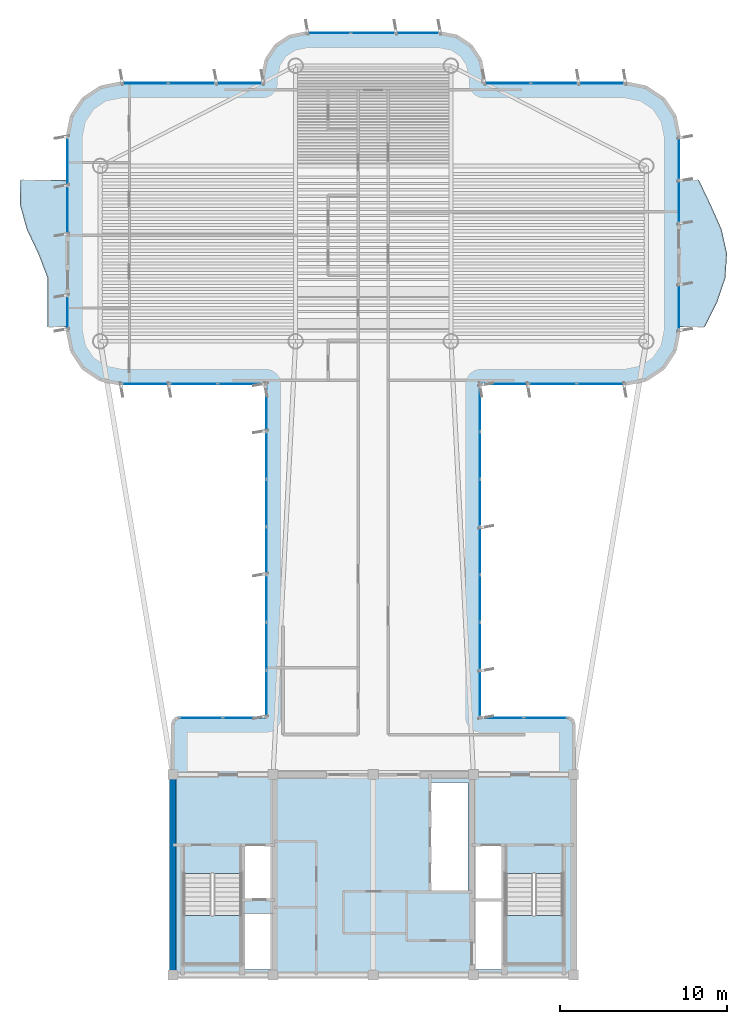
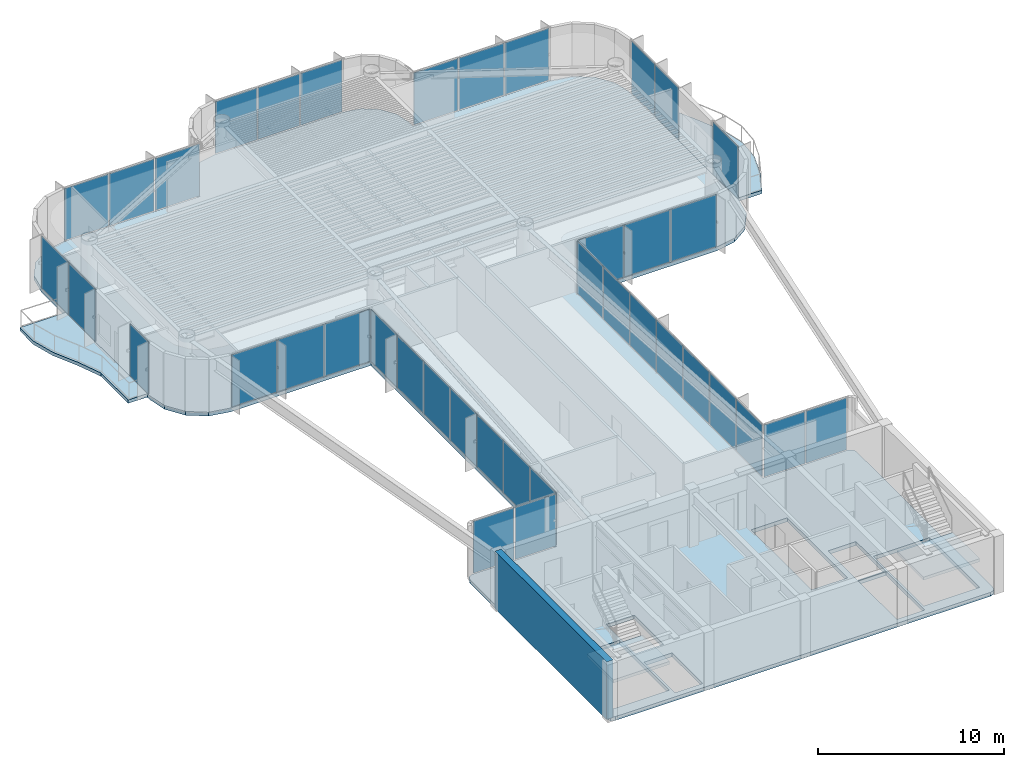
# One storey, part 9 of 15: 39 plates, 5 slabs, 1 wall, 15 elements without a shape of their own.
"""IFC4 building model written with IfcOpenShell, lengths in metres."""

import ifcopenshell
import ifcopenshell.guid

model = None  # the IFC model being written
_history = None  # IfcOwnerHistory: only IFC2X3 demands one
_inside = {}  # id of a spatial element -> (the spatial element, [elements in it])
_under = {}  # id of a project, library or spatial element -> (it, [spatial elements below it])
_declared = {}  # id of a project -> (the project, [libraries it declares])
_typed = {}  # id of a type object -> (the type object, [elements of that type])
_made_of = {}  # id of a material, layer set ... -> (it, [elements and type objects made of it])


def new_model(schema):
    """Start an empty IFC model of exactly this schema.

    Asked for "IFC4X3", IfcOpenShell would pick the latest addendum, in which some entities
    have other attributes; the version numbers below select the first issue.
    IFC2X3 requires an IfcOwnerHistory on every rooted entity: one is made here for all.
    """
    global model, _history
    if schema == "IFC4X3":
        model = ifcopenshell.file(schema_version=(4, 3, 0, 0))
    else:
        model = ifcopenshell.file(schema=schema)
    _inside.clear()
    _under.clear()
    _declared.clear()
    _typed.clear()
    _made_of.clear()
    _history = None
    if model.schema == "IFC2X3":
        org = make("IfcOrganization", Name="unknown")
        user = make(
            "IfcPersonAndOrganization",
            ThePerson=make("IfcPerson", FamilyName="unknown"),
            TheOrganization=org,
        )
        app = make(
            "IfcApplication",
            ApplicationDeveloper=org,
            Version="unknown",
            ApplicationFullName="unknown",
            ApplicationIdentifier="unknown",
        )
        _history = make(
            "IfcOwnerHistory",
            OwningUser=user,
            OwningApplication=app,
            ChangeAction="ADDED",
            CreationDate=0,
        )
    return model


def make(cls, **values):
    """One entity of the class cls with the attributes given. An attribute that is None is left unset."""
    return model.create_entity(
        cls, **{name: value for name, value in values.items() if value is not None}
    )


def rooted(cls, **values):
    """An entity with a GlobalId (a new one), such as an element, a storey or a relation."""
    return make(cls, GlobalId=ifcopenshell.guid.new(), OwnerHistory=_history, **values)


def si_unit(unit_type, name, prefix=None):
    """IfcSIUnit, for example si_unit("LENGTHUNIT", "METRE", prefix="MILLI")."""
    return make("IfcSIUnit", UnitType=unit_type, Prefix=prefix, Name=name)


def assignment(units):
    """IfcUnitAssignment: the units of a project."""
    return None if units is None else make("IfcUnitAssignment", Units=units)


def point(xyz):
    """IfcCartesianPoint."""
    return None if xyz is None else make("IfcCartesianPoint", Coordinates=xyz)


def direction(xyz):
    """IfcDirection."""
    return None if xyz is None else make("IfcDirection", DirectionRatios=xyz)


def frame(location, z_axis=None, x_axis=None):
    """IfcAxis2Placement3D, a coordinate frame: its origin and axes. An axis left out is left unset."""
    return make(
        "IfcAxis2Placement3D",
        Location=point(location),
        Axis=direction(z_axis),
        RefDirection=direction(x_axis),
    )


def frame_2d(location, x_axis=None):
    """IfcAxis2Placement2D, a coordinate frame in the plane: its origin and x axis."""
    return make(
        "IfcAxis2Placement2D", Location=point(location), RefDirection=direction(x_axis)
    )


def origin():
    """The frame at (0, 0, 0) with its axes left unset."""
    return frame((0.0, 0.0, 0.0))


def origin_2d():
    """The frame at (0, 0) in the plane with its x axis left unset."""
    return frame_2d((0.0, 0.0))


def place(relative_to, where):
    """IfcLocalPlacement: puts the frame where relative to a parent placement (None: the world)."""
    return make(
        "IfcLocalPlacement", PlacementRelTo=relative_to, RelativePlacement=where
    )


def context(
    kind, dimensions, precision=None, world=None, true_north=None, identifier=None
):
    """IfcGeometricRepresentationContext, for example the 3D "Model" context."""
    return make(
        "IfcGeometricRepresentationContext",
        ContextIdentifier=identifier,
        ContextType=kind,
        CoordinateSpaceDimension=dimensions,
        Precision=precision,
        WorldCoordinateSystem=world,
        TrueNorth=true_north,
    )


def subcontext(parent, identifier, kind, view, scale=None):
    """IfcGeometricRepresentationSubContext, for example "Body" below "Model"."""
    return make(
        "IfcGeometricRepresentationSubContext",
        ContextIdentifier=identifier,
        ContextType=kind,
        ParentContext=parent,
        TargetScale=scale,
        TargetView=view,
    )


def project(units=None, contexts=None):
    """IfcProject with its units and contexts."""
    return rooted(
        "IfcProject",
        Name="project",
        RepresentationContexts=contexts,
        UnitsInContext=assignment(units),
    )


def spatial(cls, under=None, at=None, **own):
    """A site, building, storey or space (cls), placed at a placement, below another one or the project."""
    s = rooted(cls, ObjectPlacement=at, **own)
    if under is not None:
        _under.setdefault(under.id(), (under, []))[1].append(s)
    return s


def polyline(points):
    """IfcPolyline through the points."""
    return make("IfcPolyline", Points=[point(p) for p in points])


def profile(cls, at=None, kind="AREA", **sizes):
    """A parametric profile (cls). Its sizes go by their IFC names, for example OverallWidth=200.0."""
    return make(cls, ProfileType=kind, Position=at, **sizes)


def rectangle(**sizes):
    """IfcRectangleProfileDef."""
    return profile("IfcRectangleProfileDef", **sizes)


def outline(outer, holes=None, kind="AREA"):
    """IfcArbitraryClosedProfileDef: a profile drawn as a closed curve; with holes, ...WithVoids."""
    if holes is None:
        return make("IfcArbitraryClosedProfileDef", ProfileType=kind, OuterCurve=outer)
    return make(
        "IfcArbitraryProfileDefWithVoids",
        ProfileType=kind,
        OuterCurve=outer,
        InnerCurves=holes,
    )


def extrude(swept, where, along, depth):
    """IfcExtrudedAreaSolid: the profile swept, set in the frame where, extruded along a direction by depth."""
    return make(
        "IfcExtrudedAreaSolid",
        SweptArea=swept,
        Position=where,
        ExtrudedDirection=direction(along),
        Depth=depth,
    )


def shape(context_of_items, identifier, shape_type, items):
    """IfcShapeRepresentation: the items that make up one representation, for example the "Body"."""
    return make(
        "IfcShapeRepresentation",
        ContextOfItems=context_of_items,
        RepresentationIdentifier=identifier,
        RepresentationType=shape_type,
        Items=items,
    )


def source(mapping_origin, context_of_items, identifier, shape_type, items):
    """IfcRepresentationMap: a shape defined once, which mapped items show again and again."""
    return make(
        "IfcRepresentationMap",
        MappingOrigin=mapping_origin,
        MappedRepresentation=shape(context_of_items, identifier, shape_type, items),
    )


def transform(
    local_origin,
    x_axis=None,
    y_axis=None,
    z_axis=None,
    scale=None,
    scale2=None,
    scale3=None,
    uniform=True,
):
    """IfcCartesianTransformationOperator3D, or its non-uniform kind. x_axis, y_axis, z_axis: its Axis1, 2, 3."""
    if uniform:
        return make(
            "IfcCartesianTransformationOperator3D",
            Axis1=direction(x_axis),
            Axis2=direction(y_axis),
            LocalOrigin=point(local_origin),
            Scale=scale,
            Axis3=direction(z_axis),
        )
    return make(
        "IfcCartesianTransformationOperator3DnonUniform",
        Axis1=direction(x_axis),
        Axis2=direction(y_axis),
        LocalOrigin=point(local_origin),
        Scale=scale,
        Axis3=direction(z_axis),
        Scale2=scale2,
        Scale3=scale3,
    )


def mapped(mapping_source, mapping_target):
    """IfcMappedItem: shows the shape of a source again, moved by a transform."""
    return make(
        "IfcMappedItem", MappingSource=mapping_source, MappingTarget=mapping_target
    )


def material(Name=None, Category=None):
    """IfcMaterial."""
    return make("IfcMaterial", Name=Name, Category=Category)


def layer(
    of_material, thickness, ventilated=None, Name=None, Category=None, Priority=None
):
    """IfcMaterialLayer: one layer of a wall or slab, of a material (None: an air gap)."""
    return make(
        "IfcMaterialLayer",
        Material=of_material,
        LayerThickness=thickness,
        IsVentilated=ventilated,
        Name=Name,
        Category=Category,
        Priority=Priority,
    )


def layer_set(layers, Name=None):
    """IfcMaterialLayerSet."""
    return make("IfcMaterialLayerSet", MaterialLayers=layers, LayerSetName=Name)


def made_of(thing, what):
    """Note that an element or type object is made of a material, layer set ...; save() writes the relation."""
    if what is not None:
        _made_of.setdefault(what.id(), (what, []))[1].append(thing)
    return thing


def type_object(cls, material=None, **own):
    """A type object (cls), such as IfcWallType, which elements share."""
    return made_of(rooted(cls, **own), material)


def element(
    cls,
    number,
    at=None,
    inside=None,
    cuts=None,
    type_object=None,
    material=None,
    context=None,
    identifier="Body",
    shape_type=None,
    held_by="IfcProductDefinitionShape",
    body=None,
    shapes=None,
    **own,
):
    """One element of the class cls, such as IfcWall. Its Tag is "e" and its number.

    at: its placement. inside: the storey or other place that contains it. cuts: it is an
    opening in that element (IfcRelVoidsElement). A single representation is given by context,
    identifier, shape_type and body (its items); several are given by shapes. held_by: the class
    of the entity that holds the representations. save() writes the other relations.
    """
    e = rooted(cls, Tag="e%d" % number, ObjectPlacement=at, **own)
    if body is not None:
        shapes = [shape(context, identifier, shape_type, body)]
    if shapes is not None:
        e.Representation = make(held_by, Representations=shapes)
    if inside is not None:
        _inside.setdefault(inside.id(), (inside, []))[1].append(e)
    if cuts is not None:
        rooted(
            "IfcRelVoidsElement", RelatingBuildingElement=cuts, RelatedOpeningElement=e
        )
    if type_object is not None:
        _typed.setdefault(type_object.id(), (type_object, []))[1].append(e)
    return made_of(e, material)


def aggregate(whole, parts):
    """IfcRelAggregates: a whole, such as a stair, and the parts it consists of."""
    return rooted("IfcRelAggregates", RelatingObject=whole, RelatedObjects=parts)


def save(model, path):
    """Write the relations noted so far, then the file.

    IfcRelAggregates (storeys below a building ...), IfcRelContainedInSpatialStructure (elements
    in a storey), IfcRelDefinesByType, IfcRelAssociatesMaterial and IfcRelDeclares: one each for
    every whole, place, type object, material and project.
    """
    for whole, parts in _under.values():
        aggregate(whole, parts)
    for where, things in _inside.values():
        rooted(
            "IfcRelContainedInSpatialStructure",
            RelatedElements=things,
            RelatingStructure=where,
        )
    for kind, things in _typed.values():
        rooted("IfcRelDefinesByType", RelatedObjects=things, RelatingType=kind)
    for what, things in _made_of.values():
        rooted("IfcRelAssociatesMaterial", RelatedObjects=things, RelatingMaterial=what)
    for by, libraries in _declared.values():
        rooted("IfcRelDeclares", RelatingContext=by, RelatedDefinitions=libraries)
    model.write(path)


model = new_model("IFC4")

# Units and contexts
model_context = context("Model", 3, precision=1e-05, world=origin(), true_north=direction((0.0, 1.0)))
body_context = subcontext(model_context, "Body", "Model", "MODEL_VIEW")
ifc_project = project(units=[si_unit("LENGTHUNIT", "METRE"), si_unit("AREAUNIT", "SQUARE_METRE"), si_unit("VOLUMEUNIT", "CUBIC_METRE"), si_unit("PLANEANGLEUNIT", "RADIAN"), si_unit("MASSUNIT", "GRAM", prefix="KILO")], contexts=[model_context])

# Site, building, storey
site_placement = place(None, origin())
site = spatial("IfcSite", under=ifc_project, at=site_placement, CompositionType="ELEMENT")
building_placement = place(site_placement, origin())
building = spatial("IfcBuilding", under=site, at=building_placement, Name="Brelvock Crest Care Tower", CompositionType="ELEMENT")
storey_placement = place(building_placement, frame((0.0, 0.0, 283.5)))
storey = spatial("IfcBuildingStorey", under=building, at=storey_placement, Name="L72", CompositionType="ELEMENT", Elevation=283.5)

# Slabs
ifc_material_1 = material(Name="Concrete N50 (50 MPa)", Category="concrete")
ifc_layer_1 = layer(ifc_material_1, 0.25, Name="SLB-FL3")
ifc_layer_set_1 = layer_set([ifc_layer_1], Name="Concrete N50 (50 MPa)")
slab_type_1 = type_object("IfcSlabType", Name="SLB-FL3", PredefinedType="FLOOR", material=ifc_layer_set_1)
slab_1_placement = place(storey_placement, frame((0.0, 0.0, -0.25)))
element("IfcSlab", 1, at=slab_1_placement, inside=storey, type_object=slab_type_1, Name="L72 Main Structural Slab", PredefinedType="FLOOR", context=body_context, shape_type="SweptSolid", body=[
    extrude(outline(polyline([(47.64990234375, 21.39990234375), (42.39990234375, 21.39990234375), (42.39990234375, 41.39990234375), (51.10009765625, 41.39990234375), (52.32470703125, 41.6435546875), (53.36279296875, 42.33740234375), (54.056396484375, 43.37548828125), (54.300048828125, 44.60009765625), (54.300048828125, 56.199951171875), (54.056396484375, 57.424560546875), (53.36279296875, 58.462646484375), (52.32470703125, 59.156494140625), (51.10009765625, 59.39990234375), (42.60009765625, 59.39990234375), (42.60009765625, 59.800048828125), (42.402099609375, 60.794921875), (41.83837890625, 61.638427734375), (40.9951171875, 62.2021484375), (40.0, 62.39990234375), (32.0, 62.39990234375), (31.0048828125, 62.2021484375), (30.16162109375, 61.638427734375), (29.597900390625, 60.794921875), (29.39990234375, 59.800048828125), (29.39990234375, 59.39990234375), (20.89990234375, 59.39990234375), (19.67529296875, 59.156494140625), (18.63720703125, 58.462646484375), (17.943603515625, 57.424560546875), (17.699951171875, 56.199951171875), (17.699951171875, 44.60009765625), (17.943603515625, 43.37548828125), (18.63720703125, 42.33740234375), (19.67529296875, 41.6435546875), (20.89990234375, 41.39990234375), (29.60009765625, 41.39990234375), (29.60009765625, 21.39990234375), (24.35009765625, 21.39990234375), (24.1025390625, 21.297607421875), (24.0, 21.050048828125), (24.0, 6.35009765625), (24.1025390625, 6.1025390625), (24.35009765625, 6.0), (47.64990234375, 6.0), (47.8974609375, 6.1025390625), (48.0, 6.35009765625), (48.0, 21.050048828125), (47.8974609375, 21.297607421875), (47.64990234375, 21.39990234375)]), holes=[polyline([(28.239990234375, 10.580078125), (29.97998046875, 10.580078125), (29.97998046875, 13.739990234375), (28.239990234375, 13.739990234375), (28.239990234375, 10.580078125)]), polyline([(42.02001953125, 10.580078125), (43.760009765625, 10.580078125), (43.760009765625, 13.739990234375), (42.02001953125, 13.739990234375), (42.02001953125, 10.580078125)]), polyline([(28.239990234375, 6.340087890625), (29.97998046875, 6.340087890625), (29.97998046875, 9.64990234375), (28.239990234375, 9.64990234375), (28.239990234375, 6.340087890625)]), polyline([(24.6298828125, 12.080078125), (24.6298828125, 6.699951171875), (28.110107421875, 6.699951171875), (28.110107421875, 12.080078125), (24.6298828125, 12.080078125)]), polyline([(43.889892578125, 12.080078125), (43.889892578125, 6.699951171875), (47.3701171875, 6.699951171875), (47.3701171875, 12.080078125), (43.889892578125, 12.080078125)]), polyline([(42.02001953125, 6.340087890625), (43.760009765625, 6.340087890625), (43.760009765625, 10.5), (42.02001953125, 10.5), (42.02001953125, 6.340087890625)]), polyline([(39.429931640625, 11.030029296875), (41.669921875, 11.030029296875), (41.669921875, 17.52001953125), (39.429931640625, 17.52001953125), (39.429931640625, 11.030029296875)])]), origin(), (0.0, 0.0, 1.0), 0.25),
])
ifc_layer_2 = layer(ifc_material_1, 0.219970703125, Name="SLB-WB1")
ifc_layer_set_2 = layer_set([ifc_layer_2], Name="Concrete N50 (50 MPa)")
slab_type_2 = type_object("IfcSlabType", Name="SLB-WB1", PredefinedType="FLOOR", material=ifc_layer_set_2)
slab_2_placement = place(storey_placement, frame((0.0, 0.0, -0.219970703125)))
element("IfcSlab", 2, at=slab_2_placement, inside=storey, type_object=slab_type_2, Name="L72 W Sinusoidal Wave Balcony Slab", PredefinedType="FLOOR", context=body_context, shape_type="SweptSolid", body=[
    extrude(outline(polyline([(17.699951171875, 53.60009765625), (14.8662109375, 53.60009765625), (14.845947265625, 52.13330078125), (15.24658203125, 50.666748046875), (15.938720703125, 49.199951171875), (16.5, 47.7333984375), (16.5, 46.2666015625), (16.5, 44.800048828125), (17.699951171875, 44.800048828125), (17.699951171875, 53.60009765625)])), origin(), (0.0, 0.0, 1.0), 0.219970703125),
])
slab_3_placement = place(storey_placement, frame((0.0, 0.0, -0.219970703125)))
element("IfcSlab", 3, at=slab_3_placement, inside=storey, type_object=slab_type_2, Name="L72 E Sinusoidal Wave Balcony Slab", PredefinedType="FLOOR", context=body_context, shape_type="SweptSolid", body=[
    extrude(outline(polyline([(54.300048828125, 44.800048828125), (55.85009765625, 44.800048828125), (56.585205078125, 46.2666015625), (57.083251953125, 47.7333984375), (57.183349609375, 49.199951171875), (56.853271484375, 50.666748046875), (56.199462890625, 52.13330078125), (55.5, 53.60009765625), (54.300048828125, 53.60009765625), (54.300048828125, 44.800048828125)])), origin(), (0.0, 0.0, 1.0), 0.219970703125),
])

# Stair, slab
ifc_material_2 = material(Name="Concrete N40 (40 MPa)", Category="concrete")
stair_type = type_object("IfcStairType", Name="ST-CORE1", PredefinedType="HALF_TURN_STAIR", material=ifc_material_2)
stair_1_placement = place(storey_placement, origin())
stair_1 = element("IfcStair", 4, at=stair_1_placement, inside=storey, type_object=stair_type, Name="L72 Fire-Isolated Core Stair ST-1", PredefinedType="HALF_TURN_STAIR")
ifc_layer_3 = layer(ifc_material_2, 0.199951171875, Name="STL-1")
ifc_layer_set_3 = layer_set([ifc_layer_3], Name="Concrete N40 (40 MPa)")
slab_type_3 = type_object("IfcSlabType", Name="STL-1", PredefinedType="LANDING", material=ifc_layer_set_3)
slab_4_placement = place(storey_placement, frame((0.0, 0.0, 1.68994140625)))
slab_4 = element("IfcSlab", 5, at=slab_4_placement, type_object=slab_type_3, Name="ST-1 landing 1", PredefinedType="LANDING", context=body_context, shape_type="SweptSolid", body=[
    extrude(outline(polyline([(24.6298828125, 9.56005859375), (24.6298828125, 6.699951171875), (28.110107421875, 6.699951171875), (28.110107421875, 9.56005859375), (24.6298828125, 9.56005859375)])), origin(), (0.0, 0.0, 1.0), 0.199951171875),
])
aggregate(stair_1, [slab_4])

stair_2_placement = place(storey_placement, origin())
stair_2 = element("IfcStair", 6, at=stair_2_placement, inside=storey, type_object=stair_type, Name="L72 Fire-Isolated Core Stair ST-2", PredefinedType="HALF_TURN_STAIR")
slab_5_placement = place(storey_placement, frame((0.0, 0.0, 1.68994140625)))
slab_5 = element("IfcSlab", 7, at=slab_5_placement, type_object=slab_type_3, Name="ST-2 landing 1", PredefinedType="LANDING", context=body_context, shape_type="SweptSolid", body=[
    extrude(outline(polyline([(43.889892578125, 9.56005859375), (43.889892578125, 6.699951171875), (47.3701171875, 6.699951171875), (47.3701171875, 9.56005859375), (43.889892578125, 9.56005859375)])), origin(), (0.0, 0.0, 1.0), 0.199951171875),
])
aggregate(stair_2, [slab_5])

# Curtain wall, plates
ifc_material_3 = material(Name="Dark Glass Double Glazed Low-E", Category="glass")
ifc_layer_4 = layer(ifc_material_3, 0.239990234375, Name="CWS-5")
ifc_layer_set_4 = layer_set([ifc_layer_4], Name="Dark Glass Double Glazed Low-E")
curtain_wall_type = type_object("IfcCurtainWallType", Name="CWS-5", PredefinedType="NOTDEFINED", material=ifc_layer_set_4)
curtain_wall_1_placement = place(storey_placement, origin())
curtain_wall_1 = element("IfcCurtainWall", 8, at=curtain_wall_1_placement, inside=storey, type_object=curtain_wall_type, Name="L72 Curtain Wall E10", PredefinedType="NOTDEFINED")
ifc_layer_5 = layer(ifc_material_3, 0.0380859375, Name="CWP-V2")
ifc_layer_set_5 = layer_set([ifc_layer_5], Name="Dark Glass Double Glazed Low-E")
plate_type = type_object("IfcPlateType", Name="CWP-V2", PredefinedType="CURTAIN_PANEL", material=ifc_layer_set_5)
shared_shape_1 = source(origin(), body_context, "Body", "SweptSolid", [
    extrude(rectangle(XDim=2.534912109375, YDim=0.035888671875, at=origin_2d()), origin(), (0.0, 0.0, 1.0), 3.409912109375),
])
plate_1_placement = place(storey_placement, frame((25.677490234375, 21.39990234375, 0.06005859375), z_axis=(0.0, 0.0, 1.0), x_axis=(1.0, 0.0, 0.0)))
plate_1 = element("IfcPlate", 9, at=plate_1_placement, type_object=plate_type, Name="CW-5 panel 1.1", PredefinedType="CURTAIN_PANEL", context=body_context, shape_type="MappedRepresentation", body=[
    mapped(shared_shape_1, transform((0.0, 0.0, 0.0), x_axis=(1.0, 0.0, 0.0), y_axis=(0.0, 1.0, 0.0), z_axis=(0.0, 0.0, 1.0), scale=1.0)),
])
plate_2_placement = place(storey_placement, frame((28.2724609375, 21.39990234375, 0.06005859375), z_axis=(0.0, 0.0, 1.0), x_axis=(1.0, 0.0, 0.0)))
plate_2 = element("IfcPlate", 10, at=plate_2_placement, type_object=plate_type, Name="CW-5 panel 2.1", PredefinedType="CURTAIN_PANEL", context=body_context, shape_type="MappedRepresentation", body=[
    mapped(shared_shape_1, transform((0.0, 0.0, 0.0), x_axis=(1.0, 0.0, 0.0), y_axis=(0.0, 1.0, 0.0), z_axis=(0.0, 0.0, 1.0), scale=1.0)),
])
aggregate(curtain_wall_1, [plate_1, plate_2])

curtain_wall_2_placement = place(storey_placement, origin())
curtain_wall_2 = element("IfcCurtainWall", 11, at=curtain_wall_2_placement, inside=storey, type_object=curtain_wall_type, Name="L72 Curtain Wall E46", PredefinedType="NOTDEFINED")
plate_3_placement = place(storey_placement, frame((43.7275390625, 21.39990234375, 0.06005859375), z_axis=(0.0, 0.0, 1.0), x_axis=(1.0, 0.0, 0.0)))
plate_3 = element("IfcPlate", 12, at=plate_3_placement, type_object=plate_type, Name="CW-5 panel 1.1", PredefinedType="CURTAIN_PANEL", context=body_context, shape_type="MappedRepresentation", body=[
    mapped(shared_shape_1, transform((0.0, 0.0, 0.0), x_axis=(1.0, 0.0, 0.0), y_axis=(0.0, 1.0, 0.0), z_axis=(0.0, 0.0, 1.0), scale=1.0)),
])
plate_4_placement = place(storey_placement, frame((46.322509765625, 21.39990234375, 0.06005859375), z_axis=(0.0, 0.0, 1.0), x_axis=(1.0, 0.0, 0.0)))
plate_4 = element("IfcPlate", 13, at=plate_4_placement, type_object=plate_type, Name="CW-5 panel 2.1", PredefinedType="CURTAIN_PANEL", context=body_context, shape_type="MappedRepresentation", body=[
    mapped(shared_shape_1, transform((0.0, 0.0, 0.0), x_axis=(1.0, 0.0, 0.0), y_axis=(0.0, 1.0, 0.0), z_axis=(0.0, 0.0, 1.0), scale=1.0)),
])
aggregate(curtain_wall_2, [plate_3, plate_4])

# Curtain wall, plate
curtain_wall_3_placement = place(storey_placement, origin())
curtain_wall_3 = element("IfcCurtainWall", 14, at=curtain_wall_3_placement, inside=storey, type_object=curtain_wall_type, Name="L72 Curtain Wall E17A", PredefinedType="NOTDEFINED")
shared_shape_2 = source(origin(), body_context, "Body", "SweptSolid", [
    extrude(rectangle(XDim=1.97998046875, YDim=0.035888671875, at=origin_2d()), origin(), (0.0, 0.0, 1.0), 3.409912109375),
])
plate_5_placement = place(storey_placement, frame((17.699951171875, 45.64990234375, 0.06005859375), z_axis=(0.0, 0.0, 1.0), x_axis=(0.0, 1.0, 0.0)))
plate_5 = element("IfcPlate", 15, at=plate_5_placement, type_object=plate_type, Name="CW-5 panel 1.1", PredefinedType="CURTAIN_PANEL", context=body_context, shape_type="MappedRepresentation", body=[
    mapped(shared_shape_2, transform((0.0, 0.0, 0.0), x_axis=(1.0, 0.0, 0.0), y_axis=(0.0, 1.0, 0.0), z_axis=(0.0, 0.0, 1.0), scale=1.0)),
])
aggregate(curtain_wall_3, [plate_5])

# Curtain wall, plates
curtain_wall_4_placement = place(storey_placement, origin())
curtain_wall_4 = element("IfcCurtainWall", 16, at=curtain_wall_4_placement, inside=storey, type_object=curtain_wall_type, Name="L72 Curtain Wall E39A", PredefinedType="NOTDEFINED")
shared_shape_3 = source(origin(), body_context, "Body", "SweptSolid", [
    extrude(rectangle(XDim=2.510009765625, YDim=0.035888671875, at=origin_2d()), origin(), (0.0, 0.0, 1.0), 3.409912109375),
])
plate_6_placement = place(storey_placement, frame((54.300048828125, 54.885009765625, 0.06005859375), z_axis=(0.0, 0.0, 1.0), x_axis=(0.0, -1.0, 0.0)))
plate_6 = element("IfcPlate", 17, at=plate_6_placement, type_object=plate_type, Name="CW-5 panel 1.1", PredefinedType="CURTAIN_PANEL", context=body_context, shape_type="MappedRepresentation", body=[
    mapped(shared_shape_3, transform((0.0, 0.0, 0.0), x_axis=(1.0, 0.0, 0.0), y_axis=(0.0, 1.0, 0.0), z_axis=(0.0, 0.0, 1.0), scale=1.0)),
])
plate_7_placement = place(storey_placement, frame((54.300048828125, 52.31494140625, 0.06005859375), z_axis=(0.0, 0.0, 1.0), x_axis=(0.0, -1.0, 0.0)))
plate_7 = element("IfcPlate", 18, at=plate_7_placement, type_object=plate_type, Name="CW-5 panel 2.1", PredefinedType="CURTAIN_PANEL", context=body_context, shape_type="MappedRepresentation", body=[
    mapped(shared_shape_3, transform((0.0, 0.0, 0.0), x_axis=(1.0, 0.0, 0.0), y_axis=(0.0, 1.0, 0.0), z_axis=(0.0, 0.0, 1.0), scale=1.0)),
])
aggregate(curtain_wall_4, [plate_6, plate_7])

curtain_wall_5_placement = place(storey_placement, origin())
curtain_wall_5 = element("IfcCurtainWall", 19, at=curtain_wall_5_placement, inside=storey, type_object=curtain_wall_type, Name="L72 Curtain Wall E11", PredefinedType="NOTDEFINED")
shared_shape_4 = source(origin(), body_context, "Body", "SweptSolid", [
    extrude(rectangle(XDim=2.76708984375, YDim=0.035888671875, at=origin_2d()), origin(), (0.0, 0.0, 1.0), 3.409912109375),
])
plate_8_placement = place(storey_placement, frame((29.60009765625, 22.843505859375, 0.06005859375), z_axis=(0.0, 0.0, 1.0), x_axis=(0.0, 1.0, 0.0)))
plate_8 = element("IfcPlate", 20, at=plate_8_placement, type_object=plate_type, Name="CW-5 panel 1.1", PredefinedType="CURTAIN_PANEL", context=body_context, shape_type="MappedRepresentation", body=[
    mapped(shared_shape_4, transform((0.0, 0.0, 0.0), x_axis=(1.0, 0.0, 0.0), y_axis=(0.0, 1.0, 0.0), z_axis=(0.0, 0.0, 1.0), scale=1.0)),
])
plate_9_placement = place(storey_placement, frame((29.60009765625, 39.95654296875, 0.06005859375), z_axis=(0.0, 0.0, 1.0), x_axis=(0.0, 1.0, 0.0)))
plate_9 = element("IfcPlate", 21, at=plate_9_placement, type_object=plate_type, Name="CW-5 panel 7.1", PredefinedType="CURTAIN_PANEL", context=body_context, shape_type="MappedRepresentation", body=[
    mapped(shared_shape_4, transform((0.0, 0.0, 0.0), x_axis=(1.0, 0.0, 0.0), y_axis=(0.0, 1.0, 0.0), z_axis=(0.0, 0.0, 1.0), scale=1.0)),
])

curtain_wall_6_placement = place(storey_placement, origin())
curtain_wall_6 = element("IfcCurtainWall", 22, at=curtain_wall_6_placement, inside=storey, type_object=curtain_wall_type, Name="L72 Curtain Wall E45", PredefinedType="NOTDEFINED")
plate_10_placement = place(storey_placement, frame((42.39990234375, 39.95654296875, 0.06005859375), z_axis=(0.0, 0.0, 1.0), x_axis=(0.0, -1.0, 0.0)))
plate_10 = element("IfcPlate", 23, at=plate_10_placement, type_object=plate_type, Name="CW-5 panel 1.1", PredefinedType="CURTAIN_PANEL", context=body_context, shape_type="MappedRepresentation", body=[
    mapped(shared_shape_4, transform((0.0, 0.0, 0.0), x_axis=(1.0, 0.0, 0.0), y_axis=(0.0, 1.0, 0.0), z_axis=(0.0, 0.0, 1.0), scale=1.0)),
])
plate_11_placement = place(storey_placement, frame((42.39990234375, 22.843505859375, 0.06005859375), z_axis=(0.0, 0.0, 1.0), x_axis=(0.0, -1.0, 0.0)))
plate_11 = element("IfcPlate", 24, at=plate_11_placement, type_object=plate_type, Name="CW-5 panel 7.1", PredefinedType="CURTAIN_PANEL", context=body_context, shape_type="MappedRepresentation", body=[
    mapped(shared_shape_4, transform((0.0, 0.0, 0.0), x_axis=(1.0, 0.0, 0.0), y_axis=(0.0, 1.0, 0.0), z_axis=(0.0, 0.0, 1.0), scale=1.0)),
])

# Plate
shared_shape_5 = source(origin(), body_context, "Body", "SweptSolid", [
    extrude(rectangle(XDim=2.797119140625, YDim=0.035888671875, at=origin_2d()), origin(), (0.0, 0.0, 1.0), 3.409912109375),
])
plate_12_placement = place(storey_placement, frame((29.60009765625, 25.685791015625, 0.06005859375), z_axis=(0.0, 0.0, 1.0), x_axis=(0.0, 1.0, 0.0)))
plate_12 = element("IfcPlate", 25, at=plate_12_placement, type_object=plate_type, Name="CW-5 panel 2.1", PredefinedType="CURTAIN_PANEL", context=body_context, shape_type="MappedRepresentation", body=[
    mapped(shared_shape_5, transform((0.0, 0.0, 0.0), x_axis=(1.0, 0.0, 0.0), y_axis=(0.0, 1.0, 0.0), z_axis=(0.0, 0.0, 1.0), scale=1.0)),
])

plate_13_placement = place(storey_placement, frame((29.60009765625, 28.54296875, 0.06005859375), z_axis=(0.0, 0.0, 1.0), x_axis=(0.0, 1.0, 0.0)))
plate_13 = element("IfcPlate", 26, at=plate_13_placement, type_object=plate_type, Name="CW-5 panel 3.1", PredefinedType="CURTAIN_PANEL", context=body_context, shape_type="MappedRepresentation", body=[
    mapped(shared_shape_5, transform((0.0, 0.0, 0.0), x_axis=(1.0, 0.0, 0.0), y_axis=(0.0, 1.0, 0.0), z_axis=(0.0, 0.0, 1.0), scale=1.0)),
])

plate_14_placement = place(storey_placement, frame((29.60009765625, 31.39990234375, 0.06005859375), z_axis=(0.0, 0.0, 1.0), x_axis=(0.0, 1.0, 0.0)))
plate_14 = element("IfcPlate", 27, at=plate_14_placement, type_object=plate_type, Name="CW-5 panel 4.1", PredefinedType="CURTAIN_PANEL", context=body_context, shape_type="MappedRepresentation", body=[
    mapped(shared_shape_5, transform((0.0, 0.0, 0.0), x_axis=(1.0, 0.0, 0.0), y_axis=(0.0, 1.0, 0.0), z_axis=(0.0, 0.0, 1.0), scale=1.0)),
])

plate_15_placement = place(storey_placement, frame((29.60009765625, 34.257080078125, 0.06005859375), z_axis=(0.0, 0.0, 1.0), x_axis=(0.0, 1.0, 0.0)))
plate_15 = element("IfcPlate", 28, at=plate_15_placement, type_object=plate_type, Name="CW-5 panel 5.1", PredefinedType="CURTAIN_PANEL", context=body_context, shape_type="MappedRepresentation", body=[
    mapped(shared_shape_5, transform((0.0, 0.0, 0.0), x_axis=(1.0, 0.0, 0.0), y_axis=(0.0, 1.0, 0.0), z_axis=(0.0, 0.0, 1.0), scale=1.0)),
])

plate_16_placement = place(storey_placement, frame((29.60009765625, 37.1142578125, 0.06005859375), z_axis=(0.0, 0.0, 1.0), x_axis=(0.0, 1.0, 0.0)))
plate_16 = element("IfcPlate", 29, at=plate_16_placement, type_object=plate_type, Name="CW-5 panel 6.1", PredefinedType="CURTAIN_PANEL", context=body_context, shape_type="MappedRepresentation", body=[
    mapped(shared_shape_5, transform((0.0, 0.0, 0.0), x_axis=(1.0, 0.0, 0.0), y_axis=(0.0, 1.0, 0.0), z_axis=(0.0, 0.0, 1.0), scale=1.0)),
])

aggregate(curtain_wall_5, [plate_8, plate_12, plate_13, plate_14, plate_15, plate_16, plate_9])

plate_17_placement = place(storey_placement, frame((42.39990234375, 37.1142578125, 0.06005859375), z_axis=(0.0, 0.0, 1.0), x_axis=(0.0, -1.0, 0.0)))
plate_17 = element("IfcPlate", 30, at=plate_17_placement, type_object=plate_type, Name="CW-5 panel 2.1", PredefinedType="CURTAIN_PANEL", context=body_context, shape_type="MappedRepresentation", body=[
    mapped(shared_shape_5, transform((0.0, 0.0, 0.0), x_axis=(1.0, 0.0, 0.0), y_axis=(0.0, 1.0, 0.0), z_axis=(0.0, 0.0, 1.0), scale=1.0)),
])

plate_18_placement = place(storey_placement, frame((42.39990234375, 34.257080078125, 0.06005859375), z_axis=(0.0, 0.0, 1.0), x_axis=(0.0, -1.0, 0.0)))
plate_18 = element("IfcPlate", 31, at=plate_18_placement, type_object=plate_type, Name="CW-5 panel 3.1", PredefinedType="CURTAIN_PANEL", context=body_context, shape_type="MappedRepresentation", body=[
    mapped(shared_shape_5, transform((0.0, 0.0, 0.0), x_axis=(1.0, 0.0, 0.0), y_axis=(0.0, 1.0, 0.0), z_axis=(0.0, 0.0, 1.0), scale=1.0)),
])

plate_19_placement = place(storey_placement, frame((42.39990234375, 31.39990234375, 0.06005859375), z_axis=(0.0, 0.0, 1.0), x_axis=(0.0, -1.0, 0.0)))
plate_19 = element("IfcPlate", 32, at=plate_19_placement, type_object=plate_type, Name="CW-5 panel 4.1", PredefinedType="CURTAIN_PANEL", context=body_context, shape_type="MappedRepresentation", body=[
    mapped(shared_shape_5, transform((0.0, 0.0, 0.0), x_axis=(1.0, 0.0, 0.0), y_axis=(0.0, 1.0, 0.0), z_axis=(0.0, 0.0, 1.0), scale=1.0)),
])

plate_20_placement = place(storey_placement, frame((42.39990234375, 28.54296875, 0.06005859375), z_axis=(0.0, 0.0, 1.0), x_axis=(0.0, -1.0, 0.0)))
plate_20 = element("IfcPlate", 33, at=plate_20_placement, type_object=plate_type, Name="CW-5 panel 5.1", PredefinedType="CURTAIN_PANEL", context=body_context, shape_type="MappedRepresentation", body=[
    mapped(shared_shape_5, transform((0.0, 0.0, 0.0), x_axis=(1.0, 0.0, 0.0), y_axis=(0.0, 1.0, 0.0), z_axis=(0.0, 0.0, 1.0), scale=1.0)),
])

plate_21_placement = place(storey_placement, frame((42.39990234375, 25.685791015625, 0.06005859375), z_axis=(0.0, 0.0, 1.0), x_axis=(0.0, -1.0, 0.0)))
plate_21 = element("IfcPlate", 34, at=plate_21_placement, type_object=plate_type, Name="CW-5 panel 6.1", PredefinedType="CURTAIN_PANEL", context=body_context, shape_type="MappedRepresentation", body=[
    mapped(shared_shape_5, transform((0.0, 0.0, 0.0), x_axis=(1.0, 0.0, 0.0), y_axis=(0.0, 1.0, 0.0), z_axis=(0.0, 0.0, 1.0), scale=1.0)),
])

aggregate(curtain_wall_6, [plate_10, plate_17, plate_18, plate_19, plate_20, plate_21, plate_11])

# Curtain wall, plates
curtain_wall_7_placement = place(storey_placement, origin())
curtain_wall_7 = element("IfcCurtainWall", 35, at=curtain_wall_7_placement, inside=storey, type_object=curtain_wall_type, Name="L72 Curtain Wall E12", PredefinedType="NOTDEFINED")
shared_shape_6 = source(origin(), body_context, "Body", "SweptSolid", [
    extrude(rectangle(XDim=2.81005859375, YDim=0.035888671875, at=origin_2d()), origin(), (0.0, 0.0, 1.0), 3.409912109375),
])
plate_22_placement = place(storey_placement, frame((28.135009765625, 41.39990234375, 0.06005859375), z_axis=(0.0, 0.0, 1.0), x_axis=(-1.0, 0.0, 0.0)))
plate_22 = element("IfcPlate", 36, at=plate_22_placement, type_object=plate_type, Name="CW-5 panel 1.1", PredefinedType="CURTAIN_PANEL", context=body_context, shape_type="MappedRepresentation", body=[
    mapped(shared_shape_6, transform((0.0, 0.0, 0.0), x_axis=(1.0, 0.0, 0.0), y_axis=(0.0, 1.0, 0.0), z_axis=(0.0, 0.0, 1.0), scale=1.0)),
])
plate_23_placement = place(storey_placement, frame((22.364990234375, 41.39990234375, 0.06005859375), z_axis=(0.0, 0.0, 1.0), x_axis=(-1.0, 0.0, 0.0)))
plate_23 = element("IfcPlate", 37, at=plate_23_placement, type_object=plate_type, Name="CW-5 panel 3.1", PredefinedType="CURTAIN_PANEL", context=body_context, shape_type="MappedRepresentation", body=[
    mapped(shared_shape_6, transform((0.0, 0.0, 0.0), x_axis=(1.0, 0.0, 0.0), y_axis=(0.0, 1.0, 0.0), z_axis=(0.0, 0.0, 1.0), scale=1.0)),
])

curtain_wall_8_placement = place(storey_placement, origin())
curtain_wall_8 = element("IfcCurtainWall", 38, at=curtain_wall_8_placement, inside=storey, type_object=curtain_wall_type, Name="L72 Curtain Wall E44", PredefinedType="NOTDEFINED")
plate_24_placement = place(storey_placement, frame((49.635009765625, 41.39990234375, 0.06005859375), z_axis=(0.0, 0.0, 1.0), x_axis=(-1.0, 0.0, 0.0)))
plate_24 = element("IfcPlate", 39, at=plate_24_placement, type_object=plate_type, Name="CW-5 panel 1.1", PredefinedType="CURTAIN_PANEL", context=body_context, shape_type="MappedRepresentation", body=[
    mapped(shared_shape_6, transform((0.0, 0.0, 0.0), x_axis=(1.0, 0.0, 0.0), y_axis=(0.0, 1.0, 0.0), z_axis=(0.0, 0.0, 1.0), scale=1.0)),
])
plate_25_placement = place(storey_placement, frame((43.864990234375, 41.39990234375, 0.06005859375), z_axis=(0.0, 0.0, 1.0), x_axis=(-1.0, 0.0, 0.0)))
plate_25 = element("IfcPlate", 40, at=plate_25_placement, type_object=plate_type, Name="CW-5 panel 3.1", PredefinedType="CURTAIN_PANEL", context=body_context, shape_type="MappedRepresentation", body=[
    mapped(shared_shape_6, transform((0.0, 0.0, 0.0), x_axis=(1.0, 0.0, 0.0), y_axis=(0.0, 1.0, 0.0), z_axis=(0.0, 0.0, 1.0), scale=1.0)),
])

# Plate
shared_shape_7 = source(origin(), body_context, "Body", "SweptSolid", [
    extrude(rectangle(XDim=2.840087890625, YDim=0.035888671875, at=origin_2d()), origin(), (0.0, 0.0, 1.0), 3.409912109375),
])
plate_26_placement = place(storey_placement, frame((25.25, 41.39990234375, 0.06005859375), z_axis=(0.0, 0.0, 1.0), x_axis=(-1.0, 0.0, 0.0)))
plate_26 = element("IfcPlate", 41, at=plate_26_placement, type_object=plate_type, Name="CW-5 panel 2.1", PredefinedType="CURTAIN_PANEL", context=body_context, shape_type="MappedRepresentation", body=[
    mapped(shared_shape_7, transform((0.0, 0.0, 0.0), x_axis=(1.0, 0.0, 0.0), y_axis=(0.0, 1.0, 0.0), z_axis=(0.0, 0.0, 1.0), scale=1.0)),
])

aggregate(curtain_wall_7, [plate_22, plate_26, plate_23])

plate_27_placement = place(storey_placement, frame((46.75, 41.39990234375, 0.06005859375), z_axis=(0.0, 0.0, 1.0), x_axis=(-1.0, 0.0, 0.0)))
plate_27 = element("IfcPlate", 42, at=plate_27_placement, type_object=plate_type, Name="CW-5 panel 2.1", PredefinedType="CURTAIN_PANEL", context=body_context, shape_type="MappedRepresentation", body=[
    mapped(shared_shape_7, transform((0.0, 0.0, 0.0), x_axis=(1.0, 0.0, 0.0), y_axis=(0.0, 1.0, 0.0), z_axis=(0.0, 0.0, 1.0), scale=1.0)),
])

aggregate(curtain_wall_8, [plate_24, plate_27, plate_25])

# Curtain wall, plates
curtain_wall_9_placement = place(storey_placement, origin())
curtain_wall_9 = element("IfcCurtainWall", 43, at=curtain_wall_9_placement, inside=storey, type_object=curtain_wall_type, Name="L72 Curtain Wall E22", PredefinedType="NOTDEFINED")
shared_shape_8 = source(origin(), body_context, "Body", "SweptSolid", [
    extrude(rectangle(XDim=2.743408203125, YDim=0.035888671875, at=origin_2d()), origin(), (0.0, 0.0, 1.0), 3.409912109375),
])
plate_28_placement = place(storey_placement, frame((22.331787109375, 59.39990234375, 0.06005859375), z_axis=(0.0, 0.0, 1.0), x_axis=(1.0, 0.0, 0.0)))
plate_28 = element("IfcPlate", 44, at=plate_28_placement, type_object=plate_type, Name="CW-5 panel 1.1", PredefinedType="CURTAIN_PANEL", context=body_context, shape_type="MappedRepresentation", body=[
    mapped(shared_shape_8, transform((0.0, 0.0, 0.0), x_axis=(1.0, 0.0, 0.0), y_axis=(0.0, 1.0, 0.0), z_axis=(0.0, 0.0, 1.0), scale=1.0)),
])
plate_29_placement = place(storey_placement, frame((27.96826171875, 59.39990234375, 0.06005859375), z_axis=(0.0, 0.0, 1.0), x_axis=(1.0, 0.0, 0.0)))
plate_29 = element("IfcPlate", 45, at=plate_29_placement, type_object=plate_type, Name="CW-5 panel 3.1", PredefinedType="CURTAIN_PANEL", context=body_context, shape_type="MappedRepresentation", body=[
    mapped(shared_shape_8, transform((0.0, 0.0, 0.0), x_axis=(1.0, 0.0, 0.0), y_axis=(0.0, 1.0, 0.0), z_axis=(0.0, 0.0, 1.0), scale=1.0)),
])

curtain_wall_10_placement = place(storey_placement, origin())
curtain_wall_10 = element("IfcCurtainWall", 46, at=curtain_wall_10_placement, inside=storey, type_object=curtain_wall_type, Name="L72 Curtain Wall E34", PredefinedType="NOTDEFINED")
plate_30_placement = place(storey_placement, frame((44.03173828125, 59.39990234375, 0.06005859375), z_axis=(0.0, 0.0, 1.0), x_axis=(1.0, 0.0, 0.0)))
plate_30 = element("IfcPlate", 47, at=plate_30_placement, type_object=plate_type, Name="CW-5 panel 1.1", PredefinedType="CURTAIN_PANEL", context=body_context, shape_type="MappedRepresentation", body=[
    mapped(shared_shape_8, transform((0.0, 0.0, 0.0), x_axis=(1.0, 0.0, 0.0), y_axis=(0.0, 1.0, 0.0), z_axis=(0.0, 0.0, 1.0), scale=1.0)),
])
plate_31_placement = place(storey_placement, frame((49.668212890625, 59.39990234375, 0.06005859375), z_axis=(0.0, 0.0, 1.0), x_axis=(1.0, 0.0, 0.0)))
plate_31 = element("IfcPlate", 48, at=plate_31_placement, type_object=plate_type, Name="CW-5 panel 3.1", PredefinedType="CURTAIN_PANEL", context=body_context, shape_type="MappedRepresentation", body=[
    mapped(shared_shape_8, transform((0.0, 0.0, 0.0), x_axis=(1.0, 0.0, 0.0), y_axis=(0.0, 1.0, 0.0), z_axis=(0.0, 0.0, 1.0), scale=1.0)),
])

# Plate
shared_shape_9 = source(origin(), body_context, "Body", "SweptSolid", [
    extrude(rectangle(XDim=2.7734375, YDim=0.035888671875, at=origin_2d()), origin(), (0.0, 0.0, 1.0), 3.409912109375),
])
plate_32_placement = place(storey_placement, frame((25.14990234375, 59.39990234375, 0.06005859375), z_axis=(0.0, 0.0, 1.0), x_axis=(1.0, 0.0, 0.0)))
plate_32 = element("IfcPlate", 49, at=plate_32_placement, type_object=plate_type, Name="CW-5 panel 2.1", PredefinedType="CURTAIN_PANEL", context=body_context, shape_type="MappedRepresentation", body=[
    mapped(shared_shape_9, transform((0.0, 0.0, 0.0), x_axis=(1.0, 0.0, 0.0), y_axis=(0.0, 1.0, 0.0), z_axis=(0.0, 0.0, 1.0), scale=1.0)),
])

aggregate(curtain_wall_9, [plate_28, plate_32, plate_29])

plate_33_placement = place(storey_placement, frame((46.85009765625, 59.39990234375, 0.06005859375), z_axis=(0.0, 0.0, 1.0), x_axis=(1.0, 0.0, 0.0)))
plate_33 = element("IfcPlate", 50, at=plate_33_placement, type_object=plate_type, Name="CW-5 panel 2.1", PredefinedType="CURTAIN_PANEL", context=body_context, shape_type="MappedRepresentation", body=[
    mapped(shared_shape_9, transform((0.0, 0.0, 0.0), x_axis=(1.0, 0.0, 0.0), y_axis=(0.0, 1.0, 0.0), z_axis=(0.0, 0.0, 1.0), scale=1.0)),
])

aggregate(curtain_wall_10, [plate_30, plate_33, plate_31])

# Curtain wall, plates
curtain_wall_11_placement = place(storey_placement, origin())
curtain_wall_11 = element("IfcCurtainWall", 51, at=curtain_wall_11_placement, inside=storey, type_object=curtain_wall_type, Name="L72 Curtain Wall E28", PredefinedType="NOTDEFINED")
shared_shape_10 = source(origin(), body_context, "Body", "SweptSolid", [
    extrude(rectangle(XDim=2.57666015625, YDim=0.035888671875, at=origin_2d()), origin(), (0.0, 0.0, 1.0), 3.409912109375),
])
plate_34_placement = place(storey_placement, frame((33.348388671875, 62.39990234375, 0.06005859375), z_axis=(0.0, 0.0, 1.0), x_axis=(1.0, 0.0, 0.0)))
plate_34 = element("IfcPlate", 52, at=plate_34_placement, type_object=plate_type, Name="CW-5 panel 1.1", PredefinedType="CURTAIN_PANEL", context=body_context, shape_type="MappedRepresentation", body=[
    mapped(shared_shape_10, transform((0.0, 0.0, 0.0), x_axis=(1.0, 0.0, 0.0), y_axis=(0.0, 1.0, 0.0), z_axis=(0.0, 0.0, 1.0), scale=1.0)),
])
plate_35_placement = place(storey_placement, frame((38.651611328125, 62.39990234375, 0.06005859375), z_axis=(0.0, 0.0, 1.0), x_axis=(1.0, 0.0, 0.0)))
plate_35 = element("IfcPlate", 53, at=plate_35_placement, type_object=plate_type, Name="CW-5 panel 3.1", PredefinedType="CURTAIN_PANEL", context=body_context, shape_type="MappedRepresentation", body=[
    mapped(shared_shape_10, transform((0.0, 0.0, 0.0), x_axis=(1.0, 0.0, 0.0), y_axis=(0.0, 1.0, 0.0), z_axis=(0.0, 0.0, 1.0), scale=1.0)),
])
shared_shape_11 = source(origin(), body_context, "Body", "SweptSolid", [
    extrude(rectangle(XDim=2.606689453125, YDim=0.035888671875, at=origin_2d()), origin(), (0.0, 0.0, 1.0), 3.409912109375),
])
plate_36_placement = place(storey_placement, frame((36.0, 62.39990234375, 0.06005859375), z_axis=(0.0, 0.0, 1.0), x_axis=(1.0, 0.0, 0.0)))
plate_36 = element("IfcPlate", 54, at=plate_36_placement, type_object=plate_type, Name="CW-5 panel 2.1", PredefinedType="CURTAIN_PANEL", context=body_context, shape_type="MappedRepresentation", body=[
    mapped(shared_shape_11, transform((0.0, 0.0, 0.0), x_axis=(1.0, 0.0, 0.0), y_axis=(0.0, 1.0, 0.0), z_axis=(0.0, 0.0, 1.0), scale=1.0)),
])
aggregate(curtain_wall_11, [plate_34, plate_36, plate_35])

# Curtain wall, plate
curtain_wall_12_placement = place(storey_placement, origin())
curtain_wall_12 = element("IfcCurtainWall", 55, at=curtain_wall_12_placement, inside=storey, type_object=curtain_wall_type, Name="L72 Curtain Wall E39B", PredefinedType="NOTDEFINED")
shared_shape_12 = source(origin(), body_context, "Body", "SweptSolid", [
    extrude(rectangle(XDim=2.679931640625, YDim=0.035888671875, at=origin_2d()), origin(), (0.0, 0.0, 1.0), 3.409912109375),
])
plate_37_placement = place(storey_placement, frame((54.300048828125, 46.0, 0.06005859375), z_axis=(0.0, 0.0, 1.0), x_axis=(0.0, -1.0, 0.0)))
plate_37 = element("IfcPlate", 56, at=plate_37_placement, type_object=plate_type, Name="CW-5 panel 1.1", PredefinedType="CURTAIN_PANEL", context=body_context, shape_type="MappedRepresentation", body=[
    mapped(shared_shape_12, transform((0.0, 0.0, 0.0), x_axis=(1.0, 0.0, 0.0), y_axis=(0.0, 1.0, 0.0), z_axis=(0.0, 0.0, 1.0), scale=1.0)),
])
aggregate(curtain_wall_12, [plate_37])

# Curtain wall, plates
curtain_wall_13_placement = place(storey_placement, origin())
curtain_wall_13 = element("IfcCurtainWall", 57, at=curtain_wall_13_placement, inside=storey, type_object=curtain_wall_type, Name="L72 Curtain Wall E17B", PredefinedType="NOTDEFINED")
shared_shape_13 = source(origin(), body_context, "Body", "SweptSolid", [
    extrude(rectangle(XDim=2.860107421875, YDim=0.035888671875, at=origin_2d()), origin(), (0.0, 0.0, 1.0), 3.409912109375),
])
plate_38_placement = place(storey_placement, frame((17.699951171875, 51.7900390625, 0.06005859375), z_axis=(0.0, 0.0, 1.0), x_axis=(0.0, 1.0, 0.0)))
plate_38 = element("IfcPlate", 58, at=plate_38_placement, type_object=plate_type, Name="CW-5 panel 1.1", PredefinedType="CURTAIN_PANEL", context=body_context, shape_type="MappedRepresentation", body=[
    mapped(shared_shape_13, transform((0.0, 0.0, 0.0), x_axis=(1.0, 0.0, 0.0), y_axis=(0.0, 1.0, 0.0), z_axis=(0.0, 0.0, 1.0), scale=1.0)),
])
plate_39_placement = place(storey_placement, frame((17.699951171875, 54.7099609375, 0.06005859375), z_axis=(0.0, 0.0, 1.0), x_axis=(0.0, 1.0, 0.0)))
plate_39 = element("IfcPlate", 59, at=plate_39_placement, type_object=plate_type, Name="CW-5 panel 2.1", PredefinedType="CURTAIN_PANEL", context=body_context, shape_type="MappedRepresentation", body=[
    mapped(shared_shape_13, transform((0.0, 0.0, 0.0), x_axis=(1.0, 0.0, 0.0), y_axis=(0.0, 1.0, 0.0), z_axis=(0.0, 0.0, 1.0), scale=1.0)),
])
aggregate(curtain_wall_13, [plate_38, plate_39])

# Wall
ifc_material_4 = material(Name="Concrete S65 (65 MPa)", Category="concrete")
ifc_layer_6 = layer(ifc_material_4, 0.39990234375, Name="WL-CS4")
ifc_layer_set_6 = layer_set([ifc_layer_6], Name="Concrete S65 (65 MPa)")
wall_type = type_object("IfcWallType", Name="WL-CS4", PredefinedType="SHEAR", material=ifc_layer_set_6)
wall_placement = place(storey_placement, frame((24.0, 6.0, 0.0), z_axis=(0.0, 0.0, 1.0), x_axis=(0.0, 1.0, 0.0)))
element("IfcWall", 60, at=wall_placement, inside=storey, type_object=wall_type, Name="L72 Core West Shear Wall", PredefinedType="SHEAR", context=body_context, shape_type="SweptSolid", body=[
    extrude(rectangle(XDim=12.0, YDim=0.39990234375, at=frame_2d((6.0, 0.0))), origin(), (0.0, 0.0, 1.0), 3.780029296875),
])

save(model, "model.ifc")
